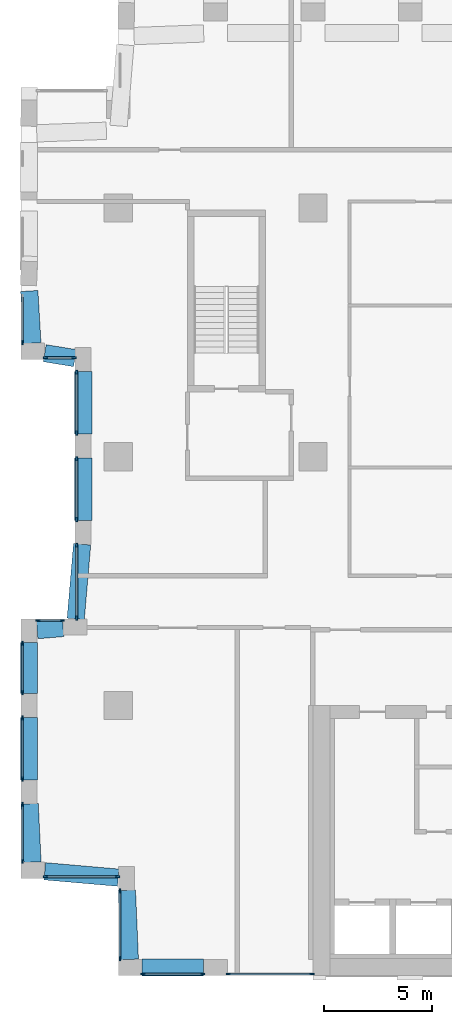
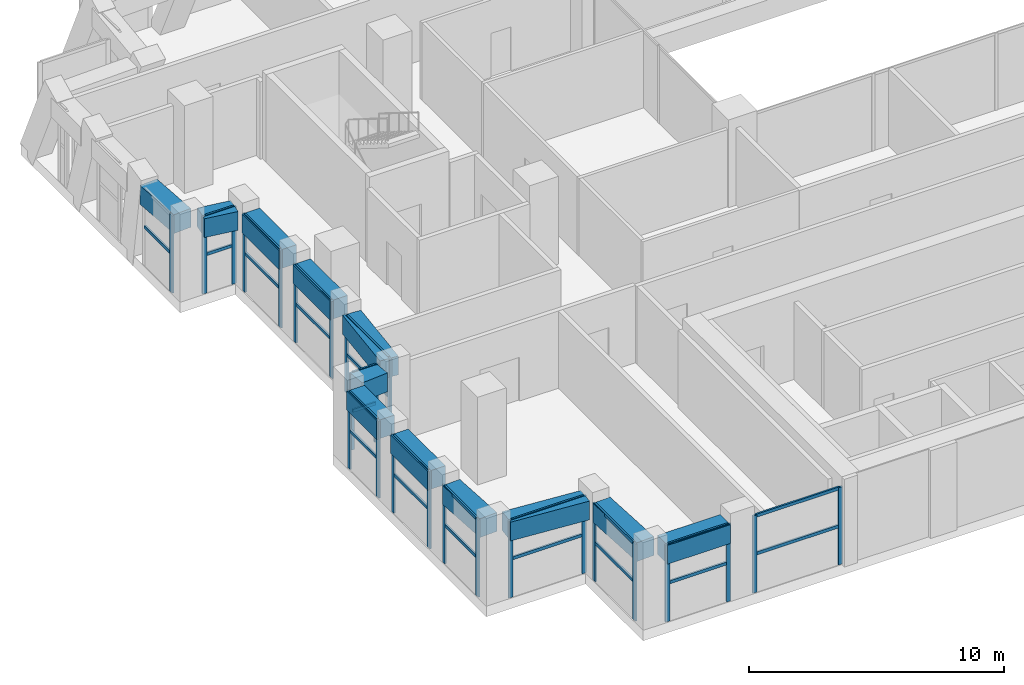
# One storey, part 2 of 20: 50 members, 12 beams, 13 elements without a shape of their own.
"""IFC4 building model written with IfcOpenShell, lengths in metres."""

from ifc_helpers import new_model, si_unit, direction, frame, origin, origin_2d, place, context, subcontext, project, spatial, rectangle, extrude, material, layer, layer_set, material_profile, profile_set, type_object, element, aggregate, save


model = new_model("IFC4")

# Units and contexts
model_context = context("Model", 3, precision=1e-05, world=origin(), true_north=direction((0.0, 1.0)))
body_context = subcontext(model_context, "Body", "Model", "MODEL_VIEW")
ifc_project = project(units=[si_unit("LENGTHUNIT", "METRE"), si_unit("AREAUNIT", "SQUARE_METRE"), si_unit("VOLUMEUNIT", "CUBIC_METRE"), si_unit("PLANEANGLEUNIT", "RADIAN"), si_unit("MASSUNIT", "GRAM", prefix="KILO")], contexts=[model_context])

# Site, building, storey
site_placement = place(None, origin())
site = spatial("IfcSite", under=ifc_project, at=site_placement, CompositionType="ELEMENT")
building_placement = place(site_placement, origin())
building = spatial("IfcBuilding", under=site, at=building_placement, Name="Brigalow Station Residences", CompositionType="ELEMENT")
storey_placement = place(building_placement, frame((0.0, 0.0, 137.10009765625)))
storey = spatial("IfcBuildingStorey", under=building, at=storey_placement, Name="L39", CompositionType="ELEMENT", Elevation=137.10009765625)

# Beams
ifc_material_1 = material(Name="Concrete C65", Category="concrete")
ifc_material_profile_1 = material_profile(ifc_material_1, rectangle(XDim=0.800048828125, YDim=0.89990234375, at=origin_2d()), Name="RC800x900")
ifc_profile_set_1 = profile_set([ifc_material_profile_1], Name="Concrete C65")
beam_type = type_object("IfcBeamType", Name="KINK TIE BEAM 800x900 C65", PredefinedType="BEAM", material=ifc_profile_set_1)
beam_1_placement = place(storey_placement, frame((10.10009765625, 0.375, 3.25), z_axis=(1.0, 0.0, 0.0), x_axis=(0.0, 1.0, 0.0)))
element("IfcBeam", 1, at=beam_1_placement, inside=storey, type_object=beam_type, Name="KINK TIE BEAM 1 L39", PredefinedType="BEAM", context=body_context, shape_type="SweptSolid", body=[
    extrude(rectangle(XDim=0.800048828125, YDim=0.89990234375, at=origin_2d()), origin(), (0.0, 0.0, 1.0), 2.849853515625),
])
beam_2_placement = place(storey_placement, frame((4.884521484375, 31.6640625, 3.25), z_axis=(0.059260555848, -0.998242548943, 0.0), x_axis=(0.998242548943, 0.059260555848, 0.0)))
element("IfcBeam", 2, at=beam_2_placement, inside=storey, type_object=beam_type, Name="KINK TIE BEAM 36 L39", PredefinedType="BEAM", context=body_context, shape_type="SweptSolid", body=[
    extrude(rectangle(XDim=0.800048828125, YDim=0.89990234375, at=origin_2d()), origin(), (0.0, 0.0, 1.0), 2.418212890625),
])
beam_3_placement = place(storey_placement, frame((5.60009765625, 28.786376953125, 3.25), z_axis=(0.987220975986, -0.15935728591, 0.0), x_axis=(0.15935728591, 0.987220975986, 0.0)))
element("IfcBeam", 3, at=beam_3_placement, inside=storey, type_object=beam_type, Name="KINK TIE BEAM 37 L39", PredefinedType="BEAM", context=body_context, shape_type="SweptSolid", body=[
    extrude(rectangle(XDim=0.800048828125, YDim=0.89990234375, at=origin_2d()), origin(), (0.0, 0.0, 1.0), 1.4140625),
])
for number, where, z_axis, x_axis, name in (
    (4, (7.375, 27.949951171875, 3.25), (0.0, -1.0, 0.0), (1.0, 0.0, 0.0), "KINK TIE BEAM 38 L39"),
    (5, (7.375, 23.949951171875, 3.25), (0.0, -1.0, 0.0), (1.0, 0.0, 0.0), "KINK TIE BEAM 39 L39"),
):
    element("IfcBeam", number, at=place(storey_placement, frame(where, z_axis=z_axis, x_axis=x_axis)), inside=storey, type_object=beam_type, Name=name, PredefinedType="BEAM", context=body_context, shape_type="SweptSolid", body=[
        extrude(rectangle(XDim=0.800048828125, YDim=0.89990234375, at=origin_2d()), origin(), (0.0, 0.0, 1.0), 2.89990234375),
    ])
beam_4_placement = place(storey_placement, frame((7.327880859375, 19.949951171875, 3.25), z_axis=(-0.085455136054, -0.99634201945, 0.0), x_axis=(0.99634201945, -0.085455136054, 0.0)))
element("IfcBeam", 6, at=beam_4_placement, inside=storey, type_object=beam_type, Name="KINK TIE BEAM 40 L39", PredefinedType="BEAM", context=body_context, shape_type="SweptSolid", body=[
    extrude(rectangle(XDim=0.800048828125, YDim=0.89990234375, at=origin_2d()), origin(), (0.0, 0.0, 1.0), 3.462646484375),
])
beam_5_placement = place(storey_placement, frame((6.449951171875, 16.07958984375, 3.25), z_axis=(-0.996638819976, -0.081921074928, 0.0), x_axis=(0.081921074928, -0.996638819976, 0.0)))
element("IfcBeam", 7, at=beam_5_placement, inside=storey, type_object=beam_type, Name="KINK TIE BEAM 41 L39", PredefinedType="BEAM", context=body_context, shape_type="SweptSolid", body=[
    extrude(rectangle(XDim=0.800048828125, YDim=0.89990234375, at=origin_2d()), origin(), (0.0, 0.0, 1.0), 1.2041015625),
])
beam_6_placement = place(storey_placement, frame((4.875, 15.39990234375, 3.25), z_axis=(0.0, -1.0, 0.0), x_axis=(1.0, 0.0, 0.0)))
element("IfcBeam", 8, at=beam_6_placement, inside=storey, type_object=beam_type, Name="KINK TIE BEAM 42 L39", PredefinedType="BEAM", context=body_context, shape_type="SweptSolid", body=[
    extrude(rectangle(XDim=0.800048828125, YDim=0.89990234375, at=origin_2d()), origin(), (0.0, 0.0, 1.0), 2.349853515625),
])
beam_7_placement = place(storey_placement, frame((4.875, 11.949951171875, 3.25), z_axis=(0.0, -1.0, 0.0), x_axis=(1.0, 0.0, 0.0)))
element("IfcBeam", 9, at=beam_7_placement, inside=storey, type_object=beam_type, Name="KINK TIE BEAM 43 L39", PredefinedType="BEAM", context=body_context, shape_type="SweptSolid", body=[
    extrude(rectangle(XDim=0.800048828125, YDim=0.89990234375, at=origin_2d()), origin(), (0.0, 0.0, 1.0), 2.89990234375),
])
beam_8_placement = place(storey_placement, frame((4.901611328125, 7.949951171875, 3.25), z_axis=(0.048230269822, -0.998836243372, 0.0), x_axis=(0.998836243372, 0.048230269822, 0.0)))
element("IfcBeam", 10, at=beam_8_placement, inside=storey, type_object=beam_type, Name="KINK TIE BEAM 44 L39", PredefinedType="BEAM", context=body_context, shape_type="SweptSolid", body=[
    extrude(rectangle(XDim=0.800048828125, YDim=0.89990234375, at=origin_2d()), origin(), (0.0, 0.0, 1.0), 2.703125),
])
beam_9_placement = place(storey_placement, frame((5.60009765625, 4.827392578125, 3.25), z_axis=(0.996258820056, -0.086419693712, 0.0), x_axis=(0.086419693712, 0.996258820056, 0.0)))
element("IfcBeam", 11, at=beam_9_placement, inside=storey, type_object=beam_type, Name="KINK TIE BEAM 45 L39", PredefinedType="BEAM", context=body_context, shape_type="SweptSolid", body=[
    extrude(rectangle(XDim=0.800048828125, YDim=0.89990234375, at=origin_2d()), origin(), (0.0, 0.0, 1.0), 3.41259765625),
])
beam_10_placement = place(storey_placement, frame((9.398193359375, 3.949951171875, 3.25), z_axis=(0.042458054884, -0.999098250211, 0.0), x_axis=(0.999098250211, 0.042458054884, 0.0)))
element("IfcBeam", 12, at=beam_10_placement, inside=storey, type_object=beam_type, Name="KINK TIE BEAM 46 L39", PredefinedType="BEAM", context=body_context, shape_type="SweptSolid", body=[
    extrude(rectangle(XDim=0.800048828125, YDim=0.89990234375, at=origin_2d()), origin(), (0.0, 0.0, 1.0), 3.202880859375),
])

# Curtain wall, members
ifc_material_2 = material(Name="Aluminium", Category="aluminium")
ifc_layer = layer(ifc_material_2, 0.199951171875)
ifc_layer_set = layer_set([ifc_layer], Name="REFUGE FLOOR LOUVRE CURTAIN WALL")
curtain_wall_type = type_object("IfcCurtainWallType", Name="REFUGE FLOOR LOUVRE CURTAIN WALL", PredefinedType="NOTDEFINED", material=ifc_layer_set)
curtain_wall_1_placement = place(storey_placement, origin())
curtain_wall_1 = element("IfcCurtainWall", 13, at=curtain_wall_1_placement, inside=storey, type_object=curtain_wall_type, Name="L39/cw/louvre-W-L39-1-1", PredefinedType="NOTDEFINED")
ifc_material_3 = material(Name="Aluminium", Category="aluminium")
ifc_material_profile_2 = material_profile(ifc_material_3, rectangle(XDim=0.080078125, YDim=0.199951171875, at=origin_2d()), Name="REFUGE FLOOR LOUVRE MULLION 80x200")
ifc_profile_set_2 = profile_set([ifc_material_profile_2], Name="Aluminium")
member_type_1 = type_object("IfcMemberType", Name="REFUGE FLOOR LOUVRE MULLION 80x200", PredefinedType="MULLION", material=ifc_profile_set_2)
member_1_placement = place(storey_placement, frame((10.139892578125, 0.074951171875, 0.0), z_axis=(0.0, 0.0, 1.0), x_axis=(0.0, 1.0, 0.0)))
member_1 = element("IfcMember", 14, at=member_1_placement, type_object=member_type_1, Name="L39/cw/louvre-W-L39-1-1/M00", PredefinedType="MULLION", context=body_context, shape_type="SweptSolid", body=[
    extrude(rectangle(XDim=0.080078125, YDim=0.199951171875, at=origin_2d()), origin(), (0.0, 0.0, 1.0), 3.699951171875),
])
member_2_placement = place(storey_placement, frame((12.909912109375, 0.074951171875, 0.0), z_axis=(0.0, 0.0, 1.0), x_axis=(0.0, 1.0, 0.0)))
member_2 = element("IfcMember", 15, at=member_2_placement, type_object=member_type_1, Name="L39/cw/louvre-W-L39-1-1/M01", PredefinedType="MULLION", context=body_context, shape_type="SweptSolid", body=[
    extrude(rectangle(XDim=0.080078125, YDim=0.199951171875, at=origin_2d()), origin(), (0.0, 0.0, 1.0), 3.699951171875),
])

curtain_wall_2_placement = place(storey_placement, origin())
curtain_wall_2 = element("IfcCurtainWall", 16, at=curtain_wall_2_placement, inside=storey, type_object=curtain_wall_type, Name="L39/cw/louvre-W-L39-1-2", PredefinedType="NOTDEFINED")
member_3_placement = place(storey_placement, frame((14.090087890625, 0.074951171875, 0.0), z_axis=(0.0, 0.0, 1.0), x_axis=(0.0, 1.0, 0.0)))
member_3 = element("IfcMember", 17, at=member_3_placement, type_object=member_type_1, Name="L39/cw/louvre-W-L39-1-2/M00", PredefinedType="MULLION", context=body_context, shape_type="SweptSolid", body=[
    extrude(rectangle(XDim=0.080078125, YDim=0.199951171875, at=origin_2d()), origin(), (0.0, 0.0, 1.0), 3.699951171875),
])
member_4_placement = place(storey_placement, frame((17.9599609375, 0.074951171875, 0.0), z_axis=(0.0, 0.0, 1.0), x_axis=(0.0, 1.0, 0.0)))
member_4 = element("IfcMember", 18, at=member_4_placement, type_object=member_type_1, Name="L39/cw/louvre-W-L39-1-2/M01", PredefinedType="MULLION", context=body_context, shape_type="SweptSolid", body=[
    extrude(rectangle(XDim=0.080078125, YDim=0.199951171875, at=origin_2d()), origin(), (0.0, 0.0, 1.0), 3.699951171875),
])

# Curtain wall, member
curtain_wall_3_placement = place(storey_placement, origin())
curtain_wall_3 = element("IfcCurtainWall", 19, at=curtain_wall_3_placement, inside=storey, type_object=curtain_wall_type, Name="L39/cw/louvre-W-L39-39-38", PredefinedType="NOTDEFINED")
member_5_placement = place(storey_placement, frame((4.574951171875, 29.2900390625, 0.0), z_axis=(0.0, 0.0, 1.0), x_axis=(1.0, 0.0, 0.0)))
member_5 = element("IfcMember", 20, at=member_5_placement, type_object=member_type_1, Name="L39/cw/louvre-W-L39-39-38/M01", PredefinedType="MULLION", context=body_context, shape_type="SweptSolid", body=[
    extrude(rectangle(XDim=0.080078125, YDim=0.199951171875, at=origin_2d()), origin(), (0.0, 0.0, 1.0), 3.699951171875),
])

# Curtain wall, members
curtain_wall_4_placement = place(storey_placement, origin())
curtain_wall_4 = element("IfcCurtainWall", 21, at=curtain_wall_4_placement, inside=storey, type_object=curtain_wall_type, Name="L39/cw/louvre-W-L39-42-39", PredefinedType="NOTDEFINED")
member_6_placement = place(storey_placement, frame((5.639892578125, 28.574951171875, 0.0), z_axis=(0.0, 0.0, 1.0), x_axis=(0.0, 1.0, 0.0)))
member_6 = element("IfcMember", 22, at=member_6_placement, type_object=member_type_1, Name="L39/cw/louvre-W-L39-42-39/M00", PredefinedType="MULLION", context=body_context, shape_type="SweptSolid", body=[
    extrude(rectangle(XDim=0.080078125, YDim=0.199951171875, at=origin_2d()), origin(), (0.0, 0.0, 1.0), 3.699951171875),
])
member_7_placement = place(storey_placement, frame((6.9599609375, 28.574951171875, 0.0), z_axis=(0.0, 0.0, 1.0), x_axis=(0.0, 1.0, 0.0)))
member_7 = element("IfcMember", 23, at=member_7_placement, type_object=member_type_1, Name="L39/cw/louvre-W-L39-42-39/M01", PredefinedType="MULLION", context=body_context, shape_type="SweptSolid", body=[
    extrude(rectangle(XDim=0.080078125, YDim=0.199951171875, at=origin_2d()), origin(), (0.0, 0.0, 1.0), 3.699951171875),
])

curtain_wall_5_placement = place(storey_placement, origin())
curtain_wall_5 = element("IfcCurtainWall", 24, at=curtain_wall_5_placement, inside=storey, type_object=curtain_wall_type, Name="L39/cw/louvre-W-L39-43-40", PredefinedType="NOTDEFINED")
member_8_placement = place(storey_placement, frame((7.074951171875, 27.909912109375, 0.0), z_axis=(0.0, 0.0, 1.0), x_axis=(1.0, 0.0, 0.0)))
member_8 = element("IfcMember", 25, at=member_8_placement, type_object=member_type_1, Name="L39/cw/louvre-W-L39-43-40/M00", PredefinedType="MULLION", context=body_context, shape_type="SweptSolid", body=[
    extrude(rectangle(XDim=0.080078125, YDim=0.199951171875, at=origin_2d()), origin(), (0.0, 0.0, 1.0), 3.699951171875),
])
member_9_placement = place(storey_placement, frame((7.074951171875, 25.090087890625, 0.0), z_axis=(0.0, 0.0, 1.0), x_axis=(1.0, 0.0, 0.0)))
member_9 = element("IfcMember", 26, at=member_9_placement, type_object=member_type_1, Name="L39/cw/louvre-W-L39-43-40/M01", PredefinedType="MULLION", context=body_context, shape_type="SweptSolid", body=[
    extrude(rectangle(XDim=0.080078125, YDim=0.199951171875, at=origin_2d()), origin(), (0.0, 0.0, 1.0), 3.699951171875),
])

curtain_wall_6_placement = place(storey_placement, origin())
curtain_wall_6 = element("IfcCurtainWall", 27, at=curtain_wall_6_placement, inside=storey, type_object=curtain_wall_type, Name="L39/cw/louvre-W-L39-43-41", PredefinedType="NOTDEFINED")
member_10_placement = place(storey_placement, frame((7.074951171875, 23.909912109375, 0.0), z_axis=(0.0, 0.0, 1.0), x_axis=(1.0, 0.0, 0.0)))
member_10 = element("IfcMember", 28, at=member_10_placement, type_object=member_type_1, Name="L39/cw/louvre-W-L39-43-41/M00", PredefinedType="MULLION", context=body_context, shape_type="SweptSolid", body=[
    extrude(rectangle(XDim=0.080078125, YDim=0.199951171875, at=origin_2d()), origin(), (0.0, 0.0, 1.0), 3.699951171875),
])
member_11_placement = place(storey_placement, frame((7.074951171875, 21.090087890625, 0.0), z_axis=(0.0, 0.0, 1.0), x_axis=(1.0, 0.0, 0.0)))
member_11 = element("IfcMember", 29, at=member_11_placement, type_object=member_type_1, Name="L39/cw/louvre-W-L39-43-41/M01", PredefinedType="MULLION", context=body_context, shape_type="SweptSolid", body=[
    extrude(rectangle(XDim=0.080078125, YDim=0.199951171875, at=origin_2d()), origin(), (0.0, 0.0, 1.0), 3.699951171875),
])

curtain_wall_7_placement = place(storey_placement, origin())
curtain_wall_7 = element("IfcCurtainWall", 30, at=curtain_wall_7_placement, inside=storey, type_object=curtain_wall_type, Name="L39/cw/louvre-W-L39-43-42", PredefinedType="NOTDEFINED")
member_12_placement = place(storey_placement, frame((7.074951171875, 19.909912109375, 0.0), z_axis=(0.0, 0.0, 1.0), x_axis=(1.0, 0.0, 0.0)))
member_12 = element("IfcMember", 31, at=member_12_placement, type_object=member_type_1, Name="L39/cw/louvre-W-L39-43-42/M00", PredefinedType="MULLION", context=body_context, shape_type="SweptSolid", body=[
    extrude(rectangle(XDim=0.080078125, YDim=0.199951171875, at=origin_2d()), origin(), (0.0, 0.0, 1.0), 3.699951171875),
])
member_13_placement = place(storey_placement, frame((7.074951171875, 16.5400390625, 0.0), z_axis=(0.0, 0.0, 1.0), x_axis=(1.0, 0.0, 0.0)))
member_13 = element("IfcMember", 32, at=member_13_placement, type_object=member_type_1, Name="L39/cw/louvre-W-L39-43-42/M01", PredefinedType="MULLION", context=body_context, shape_type="SweptSolid", body=[
    extrude(rectangle(XDim=0.080078125, YDim=0.199951171875, at=origin_2d()), origin(), (0.0, 0.0, 1.0), 3.699951171875),
])

curtain_wall_8_placement = place(storey_placement, origin())
curtain_wall_8 = element("IfcCurtainWall", 33, at=curtain_wall_8_placement, inside=storey, type_object=curtain_wall_type, Name="L39/cw/louvre-W-L39-46-43", PredefinedType="NOTDEFINED")
member_14_placement = place(storey_placement, frame((6.409912109375, 16.425048828125, 0.0), z_axis=(0.0, 0.0, 1.0), x_axis=(0.0, -1.0, 0.0)))
member_14 = element("IfcMember", 34, at=member_14_placement, type_object=member_type_1, Name="L39/cw/louvre-W-L39-46-43/M00", PredefinedType="MULLION", context=body_context, shape_type="SweptSolid", body=[
    extrude(rectangle(XDim=0.080078125, YDim=0.199951171875, at=origin_2d()), origin(), (0.0, 0.0, 1.0), 3.699951171875),
])
member_15_placement = place(storey_placement, frame((5.2900390625, 16.425048828125, 0.0), z_axis=(0.0, 0.0, 1.0), x_axis=(0.0, -1.0, 0.0)))
member_15 = element("IfcMember", 35, at=member_15_placement, type_object=member_type_1, Name="L39/cw/louvre-W-L39-46-43/M01", PredefinedType="MULLION", context=body_context, shape_type="SweptSolid", body=[
    extrude(rectangle(XDim=0.080078125, YDim=0.199951171875, at=origin_2d()), origin(), (0.0, 0.0, 1.0), 3.699951171875),
])

curtain_wall_9_placement = place(storey_placement, origin())
curtain_wall_9 = element("IfcCurtainWall", 36, at=curtain_wall_9_placement, inside=storey, type_object=curtain_wall_type, Name="L39/cw/louvre-W-L39-47-44", PredefinedType="NOTDEFINED")
member_16_placement = place(storey_placement, frame((4.574951171875, 15.360107421875, 0.0), z_axis=(0.0, 0.0, 1.0), x_axis=(1.0, 0.0, 0.0)))
member_16 = element("IfcMember", 37, at=member_16_placement, type_object=member_type_1, Name="L39/cw/louvre-W-L39-47-44/M00", PredefinedType="MULLION", context=body_context, shape_type="SweptSolid", body=[
    extrude(rectangle(XDim=0.080078125, YDim=0.199951171875, at=origin_2d()), origin(), (0.0, 0.0, 1.0), 3.699951171875),
])
member_17_placement = place(storey_placement, frame((4.574951171875, 13.090087890625, 0.0), z_axis=(0.0, 0.0, 1.0), x_axis=(1.0, 0.0, 0.0)))
member_17 = element("IfcMember", 38, at=member_17_placement, type_object=member_type_1, Name="L39/cw/louvre-W-L39-47-44/M01", PredefinedType="MULLION", context=body_context, shape_type="SweptSolid", body=[
    extrude(rectangle(XDim=0.080078125, YDim=0.199951171875, at=origin_2d()), origin(), (0.0, 0.0, 1.0), 3.699951171875),
])

curtain_wall_10_placement = place(storey_placement, origin())
curtain_wall_10 = element("IfcCurtainWall", 39, at=curtain_wall_10_placement, inside=storey, type_object=curtain_wall_type, Name="L39/cw/louvre-W-L39-47-45", PredefinedType="NOTDEFINED")
member_18_placement = place(storey_placement, frame((4.574951171875, 11.909912109375, 0.0), z_axis=(0.0, 0.0, 1.0), x_axis=(1.0, 0.0, 0.0)))
member_18 = element("IfcMember", 40, at=member_18_placement, type_object=member_type_1, Name="L39/cw/louvre-W-L39-47-45/M00", PredefinedType="MULLION", context=body_context, shape_type="SweptSolid", body=[
    extrude(rectangle(XDim=0.080078125, YDim=0.199951171875, at=origin_2d()), origin(), (0.0, 0.0, 1.0), 3.699951171875),
])
member_19_placement = place(storey_placement, frame((4.574951171875, 9.090087890625, 0.0), z_axis=(0.0, 0.0, 1.0), x_axis=(1.0, 0.0, 0.0)))
member_19 = element("IfcMember", 41, at=member_19_placement, type_object=member_type_1, Name="L39/cw/louvre-W-L39-47-45/M01", PredefinedType="MULLION", context=body_context, shape_type="SweptSolid", body=[
    extrude(rectangle(XDim=0.080078125, YDim=0.199951171875, at=origin_2d()), origin(), (0.0, 0.0, 1.0), 3.699951171875),
])

curtain_wall_11_placement = place(storey_placement, origin())
curtain_wall_11 = element("IfcCurtainWall", 42, at=curtain_wall_11_placement, inside=storey, type_object=curtain_wall_type, Name="L39/cw/louvre-W-L39-47-46", PredefinedType="NOTDEFINED")
member_20_placement = place(storey_placement, frame((4.574951171875, 7.909912109375, 0.0), z_axis=(0.0, 0.0, 1.0), x_axis=(1.0, 0.0, 0.0)))
member_20 = element("IfcMember", 43, at=member_20_placement, type_object=member_type_1, Name="L39/cw/louvre-W-L39-47-46/M00", PredefinedType="MULLION", context=body_context, shape_type="SweptSolid", body=[
    extrude(rectangle(XDim=0.080078125, YDim=0.199951171875, at=origin_2d()), origin(), (0.0, 0.0, 1.0), 3.699951171875),
])
member_21_placement = place(storey_placement, frame((4.574951171875, 5.2900390625, 0.0), z_axis=(0.0, 0.0, 1.0), x_axis=(1.0, 0.0, 0.0)))
member_21 = element("IfcMember", 44, at=member_21_placement, type_object=member_type_1, Name="L39/cw/louvre-W-L39-47-46/M01", PredefinedType="MULLION", context=body_context, shape_type="SweptSolid", body=[
    extrude(rectangle(XDim=0.080078125, YDim=0.199951171875, at=origin_2d()), origin(), (0.0, 0.0, 1.0), 3.699951171875),
])

curtain_wall_12_placement = place(storey_placement, origin())
curtain_wall_12 = element("IfcCurtainWall", 45, at=curtain_wall_12_placement, inside=storey, type_object=curtain_wall_type, Name="L39/cw/louvre-W-L39-50-47", PredefinedType="NOTDEFINED")
member_22_placement = place(storey_placement, frame((5.639892578125, 4.574951171875, 0.0), z_axis=(0.0, 0.0, 1.0), x_axis=(0.0, 1.0, 0.0)))
member_22 = element("IfcMember", 46, at=member_22_placement, type_object=member_type_1, Name="L39/cw/louvre-W-L39-50-47/M00", PredefinedType="MULLION", context=body_context, shape_type="SweptSolid", body=[
    extrude(rectangle(XDim=0.080078125, YDim=0.199951171875, at=origin_2d()), origin(), (0.0, 0.0, 1.0), 3.699951171875),
])
member_23_placement = place(storey_placement, frame((8.9599609375, 4.574951171875, 0.0), z_axis=(0.0, 0.0, 1.0), x_axis=(0.0, 1.0, 0.0)))
member_23 = element("IfcMember", 47, at=member_23_placement, type_object=member_type_1, Name="L39/cw/louvre-W-L39-50-47/M01", PredefinedType="MULLION", context=body_context, shape_type="SweptSolid", body=[
    extrude(rectangle(XDim=0.080078125, YDim=0.199951171875, at=origin_2d()), origin(), (0.0, 0.0, 1.0), 3.699951171875),
])

curtain_wall_13_placement = place(storey_placement, origin())
curtain_wall_13 = element("IfcCurtainWall", 48, at=curtain_wall_13_placement, inside=storey, type_object=curtain_wall_type, Name="L39/cw/louvre-W-L39-51-48", PredefinedType="NOTDEFINED")
member_24_placement = place(storey_placement, frame((9.074951171875, 3.909912109375, 0.0), z_axis=(0.0, 0.0, 1.0), x_axis=(1.0, 0.0, 0.0)))
member_24 = element("IfcMember", 49, at=member_24_placement, type_object=member_type_1, Name="L39/cw/louvre-W-L39-51-48/M00", PredefinedType="MULLION", context=body_context, shape_type="SweptSolid", body=[
    extrude(rectangle(XDim=0.080078125, YDim=0.199951171875, at=origin_2d()), origin(), (0.0, 0.0, 1.0), 3.699951171875),
])
member_25_placement = place(storey_placement, frame((9.074951171875, 0.7900390625, 0.0), z_axis=(0.0, 0.0, 1.0), x_axis=(1.0, 0.0, 0.0)))
member_25 = element("IfcMember", 50, at=member_25_placement, type_object=member_type_1, Name="L39/cw/louvre-W-L39-51-48/M01", PredefinedType="MULLION", context=body_context, shape_type="SweptSolid", body=[
    extrude(rectangle(XDim=0.080078125, YDim=0.199951171875, at=origin_2d()), origin(), (0.0, 0.0, 1.0), 3.699951171875),
])

# Member
ifc_material_4 = material(Name="Aluminium", Category="aluminium")
ifc_material_profile_3 = material_profile(ifc_material_4, rectangle(XDim=0.080078125, YDim=0.14990234375, at=origin_2d()), Name="REFUGE FLOOR LOUVRE TRANSOM 80x150")
ifc_profile_set_3 = profile_set([ifc_material_profile_3], Name="Aluminium")
member_type_2 = type_object("IfcMemberType", Name="REFUGE FLOOR LOUVRE TRANSOM 80x150", PredefinedType="USERDEFINED", material=ifc_profile_set_3)
member_26_placement = place(storey_placement, frame((10.179931640625, 0.074951171875, 1.849853515625), z_axis=(1.0, 0.0, 0.0), x_axis=(0.0, 1.0, 0.0)))
member_26 = element("IfcMember", 51, at=member_26_placement, type_object=member_type_2, Name="L39/cw/louvre-W-L39-1-1/T00-00", ObjectType="TRANSOM", PredefinedType="USERDEFINED", context=body_context, shape_type="SweptSolid", body=[
    extrude(rectangle(XDim=0.080078125, YDim=0.14990234375, at=origin_2d()), origin(), (0.0, 0.0, 1.0), 2.690185546875),
])

member_27_placement = place(storey_placement, frame((10.179931640625, 0.074951171875, 3.659912109375), z_axis=(1.0, 0.0, 0.0), x_axis=(0.0, 1.0, 0.0)))
member_27 = element("IfcMember", 52, at=member_27_placement, type_object=member_type_2, Name="L39/cw/louvre-W-L39-1-1/T00-01", ObjectType="TRANSOM", PredefinedType="USERDEFINED", context=body_context, shape_type="SweptSolid", body=[
    extrude(rectangle(XDim=0.080078125, YDim=0.14990234375, at=origin_2d()), origin(), (0.0, 0.0, 1.0), 2.690185546875),
])

aggregate(curtain_wall_1, [member_1, member_2, member_26, member_27])

member_28_placement = place(storey_placement, frame((14.1298828125, 0.074951171875, 1.849853515625), z_axis=(1.0, 0.0, 0.0), x_axis=(0.0, 1.0, 0.0)))
member_28 = element("IfcMember", 53, at=member_28_placement, type_object=member_type_2, Name="L39/cw/louvre-W-L39-1-2/T00-00", ObjectType="TRANSOM", PredefinedType="USERDEFINED", context=body_context, shape_type="SweptSolid", body=[
    extrude(rectangle(XDim=0.080078125, YDim=0.14990234375, at=origin_2d()), origin(), (0.0, 0.0, 1.0), 3.7900390625),
])

member_29_placement = place(storey_placement, frame((14.1298828125, 0.074951171875, 3.659912109375), z_axis=(1.0, 0.0, 0.0), x_axis=(0.0, 1.0, 0.0)))
member_29 = element("IfcMember", 54, at=member_29_placement, type_object=member_type_2, Name="L39/cw/louvre-W-L39-1-2/T00-01", ObjectType="TRANSOM", PredefinedType="USERDEFINED", context=body_context, shape_type="SweptSolid", body=[
    extrude(rectangle(XDim=0.080078125, YDim=0.14990234375, at=origin_2d()), origin(), (0.0, 0.0, 1.0), 3.7900390625),
])

aggregate(curtain_wall_2, [member_3, member_4, member_28, member_29])

member_30_placement = place(storey_placement, frame((4.574951171875, 31.380859375, 1.849853515625), z_axis=(0.0, -1.0, 0.0), x_axis=(1.0, 0.0, 0.0)))
member_30 = element("IfcMember", 55, at=member_30_placement, type_object=member_type_2, Name="L39/cw/louvre-W-L39-39-38/T00-00", ObjectType="TRANSOM", PredefinedType="USERDEFINED", context=body_context, shape_type="SweptSolid", body=[
    extrude(rectangle(XDim=0.080078125, YDim=0.14990234375, at=origin_2d()), origin(), (0.0, 0.0, 1.0), 2.05078125),
])

aggregate(curtain_wall_3, [member_5, member_30])

member_31_placement = place(storey_placement, frame((5.679931640625, 28.574951171875, 1.849853515625), z_axis=(1.0, 0.0, 0.0), x_axis=(0.0, 1.0, 0.0)))
member_31 = element("IfcMember", 56, at=member_31_placement, type_object=member_type_2, Name="L39/cw/louvre-W-L39-42-39/T00-00", ObjectType="TRANSOM", PredefinedType="USERDEFINED", context=body_context, shape_type="SweptSolid", body=[
    extrude(rectangle(XDim=0.080078125, YDim=0.14990234375, at=origin_2d()), origin(), (0.0, 0.0, 1.0), 1.239990234375),
])

member_32_placement = place(storey_placement, frame((5.679931640625, 28.574951171875, 3.659912109375), z_axis=(1.0, 0.0, 0.0), x_axis=(0.0, 1.0, 0.0)))
member_32 = element("IfcMember", 57, at=member_32_placement, type_object=member_type_2, Name="L39/cw/louvre-W-L39-42-39/T00-01", ObjectType="TRANSOM", PredefinedType="USERDEFINED", context=body_context, shape_type="SweptSolid", body=[
    extrude(rectangle(XDim=0.080078125, YDim=0.14990234375, at=origin_2d()), origin(), (0.0, 0.0, 1.0), 1.239990234375),
])

aggregate(curtain_wall_4, [member_6, member_7, member_31, member_32])

member_33_placement = place(storey_placement, frame((7.074951171875, 27.8701171875, 1.849853515625), z_axis=(0.0, -1.0, 0.0), x_axis=(1.0, 0.0, 0.0)))
member_33 = element("IfcMember", 58, at=member_33_placement, type_object=member_type_2, Name="L39/cw/louvre-W-L39-43-40/T00-00", ObjectType="TRANSOM", PredefinedType="USERDEFINED", context=body_context, shape_type="SweptSolid", body=[
    extrude(rectangle(XDim=0.080078125, YDim=0.14990234375, at=origin_2d()), origin(), (0.0, 0.0, 1.0), 2.740234375),
])

member_34_placement = place(storey_placement, frame((7.074951171875, 27.8701171875, 3.659912109375), z_axis=(0.0, -1.0, 0.0), x_axis=(1.0, 0.0, 0.0)))
member_34 = element("IfcMember", 59, at=member_34_placement, type_object=member_type_2, Name="L39/cw/louvre-W-L39-43-40/T00-01", ObjectType="TRANSOM", PredefinedType="USERDEFINED", context=body_context, shape_type="SweptSolid", body=[
    extrude(rectangle(XDim=0.080078125, YDim=0.14990234375, at=origin_2d()), origin(), (0.0, 0.0, 1.0), 2.740234375),
])

aggregate(curtain_wall_5, [member_8, member_9, member_33, member_34])

member_35_placement = place(storey_placement, frame((7.074951171875, 23.8701171875, 1.849853515625), z_axis=(0.0, -1.0, 0.0), x_axis=(1.0, 0.0, 0.0)))
member_35 = element("IfcMember", 60, at=member_35_placement, type_object=member_type_2, Name="L39/cw/louvre-W-L39-43-41/T00-00", ObjectType="TRANSOM", PredefinedType="USERDEFINED", context=body_context, shape_type="SweptSolid", body=[
    extrude(rectangle(XDim=0.080078125, YDim=0.14990234375, at=origin_2d()), origin(), (0.0, 0.0, 1.0), 2.740234375),
])

member_36_placement = place(storey_placement, frame((7.074951171875, 23.8701171875, 3.659912109375), z_axis=(0.0, -1.0, 0.0), x_axis=(1.0, 0.0, 0.0)))
member_36 = element("IfcMember", 61, at=member_36_placement, type_object=member_type_2, Name="L39/cw/louvre-W-L39-43-41/T00-01", ObjectType="TRANSOM", PredefinedType="USERDEFINED", context=body_context, shape_type="SweptSolid", body=[
    extrude(rectangle(XDim=0.080078125, YDim=0.14990234375, at=origin_2d()), origin(), (0.0, 0.0, 1.0), 2.740234375),
])

aggregate(curtain_wall_6, [member_10, member_11, member_35, member_36])

member_37_placement = place(storey_placement, frame((7.074951171875, 19.8701171875, 1.849853515625), z_axis=(0.0, -1.0, 0.0), x_axis=(1.0, 0.0, 0.0)))
member_37 = element("IfcMember", 62, at=member_37_placement, type_object=member_type_2, Name="L39/cw/louvre-W-L39-43-42/T00-00", ObjectType="TRANSOM", PredefinedType="USERDEFINED", context=body_context, shape_type="SweptSolid", body=[
    extrude(rectangle(XDim=0.080078125, YDim=0.14990234375, at=origin_2d()), origin(), (0.0, 0.0, 1.0), 3.2900390625),
])

member_38_placement = place(storey_placement, frame((7.074951171875, 19.8701171875, 3.659912109375), z_axis=(0.0, -1.0, 0.0), x_axis=(1.0, 0.0, 0.0)))
member_38 = element("IfcMember", 63, at=member_38_placement, type_object=member_type_2, Name="L39/cw/louvre-W-L39-43-42/T00-01", ObjectType="TRANSOM", PredefinedType="USERDEFINED", context=body_context, shape_type="SweptSolid", body=[
    extrude(rectangle(XDim=0.080078125, YDim=0.14990234375, at=origin_2d()), origin(), (0.0, 0.0, 1.0), 3.2900390625),
])

aggregate(curtain_wall_7, [member_12, member_13, member_37, member_38])

member_39_placement = place(storey_placement, frame((6.3701171875, 16.425048828125, 1.849853515625), z_axis=(-1.0, 0.0, 0.0), x_axis=(0.0, -1.0, 0.0)))
member_39 = element("IfcMember", 64, at=member_39_placement, type_object=member_type_2, Name="L39/cw/louvre-W-L39-46-43/T00-00", ObjectType="TRANSOM", PredefinedType="USERDEFINED", context=body_context, shape_type="SweptSolid", body=[
    extrude(rectangle(XDim=0.080078125, YDim=0.14990234375, at=origin_2d()), origin(), (0.0, 0.0, 1.0), 1.0400390625),
])

member_40_placement = place(storey_placement, frame((6.3701171875, 16.425048828125, 3.659912109375), z_axis=(-1.0, 0.0, 0.0), x_axis=(0.0, -1.0, 0.0)))
member_40 = element("IfcMember", 65, at=member_40_placement, type_object=member_type_2, Name="L39/cw/louvre-W-L39-46-43/T00-01", ObjectType="TRANSOM", PredefinedType="USERDEFINED", context=body_context, shape_type="SweptSolid", body=[
    extrude(rectangle(XDim=0.080078125, YDim=0.14990234375, at=origin_2d()), origin(), (0.0, 0.0, 1.0), 1.0400390625),
])

aggregate(curtain_wall_8, [member_14, member_15, member_39, member_40])

member_41_placement = place(storey_placement, frame((4.574951171875, 15.320068359375, 1.849853515625), z_axis=(0.0, -1.0, 0.0), x_axis=(1.0, 0.0, 0.0)))
member_41 = element("IfcMember", 66, at=member_41_placement, type_object=member_type_2, Name="L39/cw/louvre-W-L39-47-44/T00-00", ObjectType="TRANSOM", PredefinedType="USERDEFINED", context=body_context, shape_type="SweptSolid", body=[
    extrude(rectangle(XDim=0.080078125, YDim=0.14990234375, at=origin_2d()), origin(), (0.0, 0.0, 1.0), 2.190185546875),
])

member_42_placement = place(storey_placement, frame((4.574951171875, 15.320068359375, 3.659912109375), z_axis=(0.0, -1.0, 0.0), x_axis=(1.0, 0.0, 0.0)))
member_42 = element("IfcMember", 67, at=member_42_placement, type_object=member_type_2, Name="L39/cw/louvre-W-L39-47-44/T00-01", ObjectType="TRANSOM", PredefinedType="USERDEFINED", context=body_context, shape_type="SweptSolid", body=[
    extrude(rectangle(XDim=0.080078125, YDim=0.14990234375, at=origin_2d()), origin(), (0.0, 0.0, 1.0), 2.190185546875),
])

aggregate(curtain_wall_9, [member_16, member_17, member_41, member_42])

member_43_placement = place(storey_placement, frame((4.574951171875, 11.8701171875, 1.849853515625), z_axis=(0.0, -1.0, 0.0), x_axis=(1.0, 0.0, 0.0)))
member_43 = element("IfcMember", 68, at=member_43_placement, type_object=member_type_2, Name="L39/cw/louvre-W-L39-47-45/T00-00", ObjectType="TRANSOM", PredefinedType="USERDEFINED", context=body_context, shape_type="SweptSolid", body=[
    extrude(rectangle(XDim=0.080078125, YDim=0.14990234375, at=origin_2d()), origin(), (0.0, 0.0, 1.0), 2.740234375),
])

member_44_placement = place(storey_placement, frame((4.574951171875, 11.8701171875, 3.659912109375), z_axis=(0.0, -1.0, 0.0), x_axis=(1.0, 0.0, 0.0)))
member_44 = element("IfcMember", 69, at=member_44_placement, type_object=member_type_2, Name="L39/cw/louvre-W-L39-47-45/T00-01", ObjectType="TRANSOM", PredefinedType="USERDEFINED", context=body_context, shape_type="SweptSolid", body=[
    extrude(rectangle(XDim=0.080078125, YDim=0.14990234375, at=origin_2d()), origin(), (0.0, 0.0, 1.0), 2.740234375),
])

aggregate(curtain_wall_10, [member_18, member_19, member_43, member_44])

member_45_placement = place(storey_placement, frame((4.574951171875, 7.8701171875, 1.849853515625), z_axis=(0.0, -1.0, 0.0), x_axis=(1.0, 0.0, 0.0)))
member_45 = element("IfcMember", 70, at=member_45_placement, type_object=member_type_2, Name="L39/cw/louvre-W-L39-47-46/T00-00", ObjectType="TRANSOM", PredefinedType="USERDEFINED", context=body_context, shape_type="SweptSolid", body=[
    extrude(rectangle(XDim=0.080078125, YDim=0.14990234375, at=origin_2d()), origin(), (0.0, 0.0, 1.0), 2.5400390625),
])

member_46_placement = place(storey_placement, frame((4.574951171875, 7.8701171875, 3.659912109375), z_axis=(0.0, -1.0, 0.0), x_axis=(1.0, 0.0, 0.0)))
member_46 = element("IfcMember", 71, at=member_46_placement, type_object=member_type_2, Name="L39/cw/louvre-W-L39-47-46/T00-01", ObjectType="TRANSOM", PredefinedType="USERDEFINED", context=body_context, shape_type="SweptSolid", body=[
    extrude(rectangle(XDim=0.080078125, YDim=0.14990234375, at=origin_2d()), origin(), (0.0, 0.0, 1.0), 2.5400390625),
])

aggregate(curtain_wall_11, [member_20, member_21, member_45, member_46])

member_47_placement = place(storey_placement, frame((5.679931640625, 4.574951171875, 1.849853515625), z_axis=(1.0, 0.0, 0.0), x_axis=(0.0, 1.0, 0.0)))
member_47 = element("IfcMember", 72, at=member_47_placement, type_object=member_type_2, Name="L39/cw/louvre-W-L39-50-47/T00-00", ObjectType="TRANSOM", PredefinedType="USERDEFINED", context=body_context, shape_type="SweptSolid", body=[
    extrude(rectangle(XDim=0.080078125, YDim=0.14990234375, at=origin_2d()), origin(), (0.0, 0.0, 1.0), 3.239990234375),
])

member_48_placement = place(storey_placement, frame((5.679931640625, 4.574951171875, 3.659912109375), z_axis=(1.0, 0.0, 0.0), x_axis=(0.0, 1.0, 0.0)))
member_48 = element("IfcMember", 73, at=member_48_placement, type_object=member_type_2, Name="L39/cw/louvre-W-L39-50-47/T00-01", ObjectType="TRANSOM", PredefinedType="USERDEFINED", context=body_context, shape_type="SweptSolid", body=[
    extrude(rectangle(XDim=0.080078125, YDim=0.14990234375, at=origin_2d()), origin(), (0.0, 0.0, 1.0), 3.239990234375),
])

aggregate(curtain_wall_12, [member_22, member_23, member_47, member_48])

member_49_placement = place(storey_placement, frame((9.074951171875, 3.8701171875, 1.849853515625), z_axis=(0.0, -1.0, 0.0), x_axis=(1.0, 0.0, 0.0)))
member_49 = element("IfcMember", 74, at=member_49_placement, type_object=member_type_2, Name="L39/cw/louvre-W-L39-51-48/T00-00", ObjectType="TRANSOM", PredefinedType="USERDEFINED", context=body_context, shape_type="SweptSolid", body=[
    extrude(rectangle(XDim=0.080078125, YDim=0.14990234375, at=origin_2d()), origin(), (0.0, 0.0, 1.0), 3.0400390625),
])

member_50_placement = place(storey_placement, frame((9.074951171875, 3.8701171875, 3.659912109375), z_axis=(0.0, -1.0, 0.0), x_axis=(1.0, 0.0, 0.0)))
member_50 = element("IfcMember", 75, at=member_50_placement, type_object=member_type_2, Name="L39/cw/louvre-W-L39-51-48/T00-01", ObjectType="TRANSOM", PredefinedType="USERDEFINED", context=body_context, shape_type="SweptSolid", body=[
    extrude(rectangle(XDim=0.080078125, YDim=0.14990234375, at=origin_2d()), origin(), (0.0, 0.0, 1.0), 3.0400390625),
])

aggregate(curtain_wall_13, [member_24, member_25, member_49, member_50])

save(model, "model.ifc")
